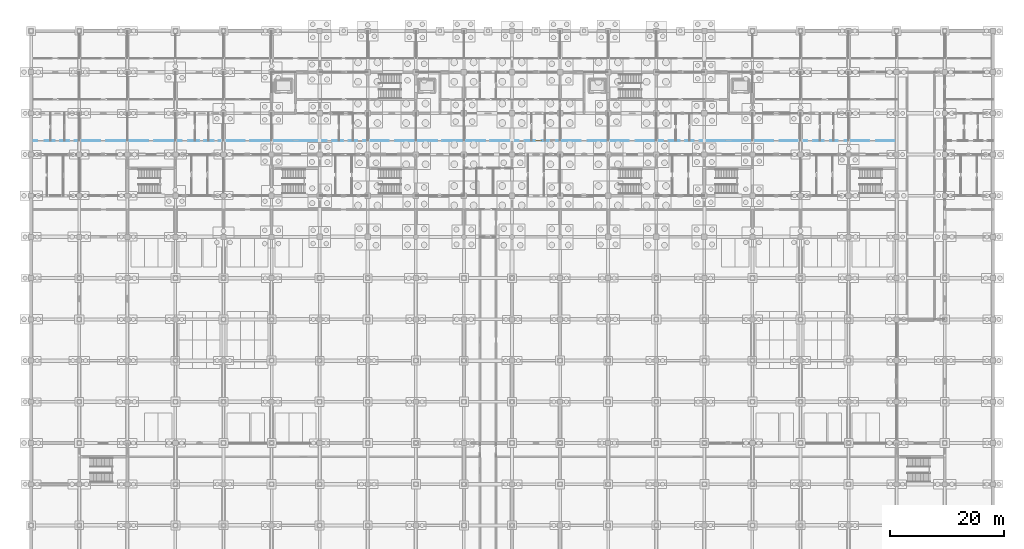
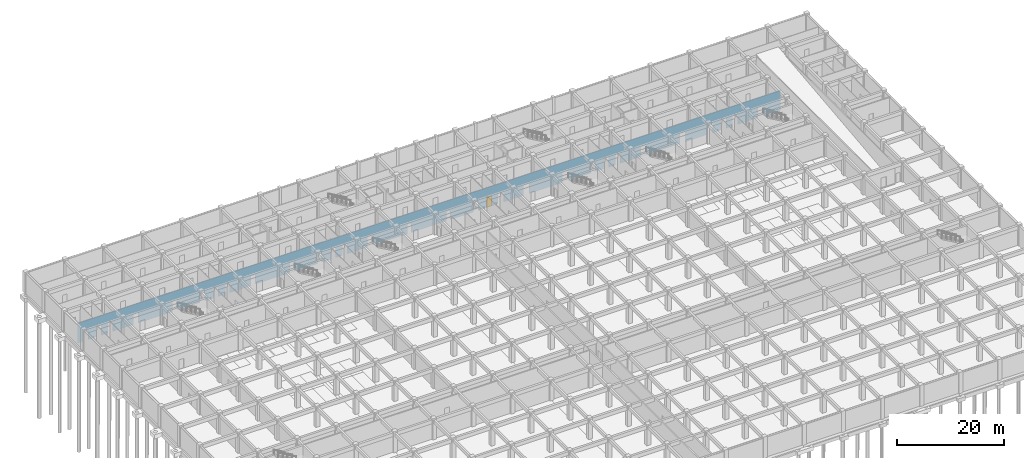
# One storey, part 58 of 85: 1 door, 30 openings, plus 1 element that does not belong to this part.
"""IFC4 building model written with IfcOpenShell, lengths in metres."""

from ifc_helpers import new_model, si_unit, direction, frame, frame_2d, origin, place, context, subcontext, project, spatial, rectangle, extrude, material, layer, layer_set, type_object, element, fill, save


model = new_model("IFC4")

# Units and contexts
model_context = context("Model", 3, precision=1e-05, world=origin(), true_north=direction((0.0, 1.0)))
body_context = subcontext(model_context, "Body", "Model", "MODEL_VIEW")
ifc_project = project(units=[si_unit("LENGTHUNIT", "METRE"), si_unit("AREAUNIT", "SQUARE_METRE"), si_unit("VOLUMEUNIT", "CUBIC_METRE"), si_unit("PLANEANGLEUNIT", "RADIAN"), si_unit("MASSUNIT", "GRAM", prefix="KILO")], contexts=[model_context])

# Site, building, storey
site_placement = place(None, origin())
site = spatial("IfcSite", under=ifc_project, at=site_placement, CompositionType="ELEMENT")
building_placement = place(site_placement, origin())
building = spatial("IfcBuilding", under=site, at=building_placement, Name="Chengyuan Square Courthouse", CompositionType="ELEMENT")
storey_placement = place(building_placement, frame((0.0, 0.0, -10.199951171875)))
storey = spatial("IfcBuildingStorey", under=building, at=storey_placement, Name="B02", CompositionType="ELEMENT", Elevation=-10.199951171875)

# Wall, openings, door
ifc_material_1 = material(Name="Gypsum Plasterboard Acoustic Stud Partition")
ifc_layer = layer(ifc_material_1, 0.10009765625)
ifc_layer_set = layer_set([ifc_layer], Name="Gypsum Plasterboard Acoustic Stud Partition")
wall_type = type_object("IfcWallType", Name="WL-PT6", PredefinedType="STANDARD", material=ifc_layer_set)
wall_placement = place(storey_placement, frame((0.0400390625, 96.0, 0.0), z_axis=(0.0, 0.0, 1.0), x_axis=(1.0, 0.0, 0.0)))
wall = element("IfcWall", 1, at=wall_placement, inside=storey, type_object=wall_type, Name="Interior Wall WL-B02-I062", PredefinedType="STANDARD", context=body_context, shape_type="SweptSolid", body=[
    extrude(rectangle(XDim=151.159912109375, YDim=0.10009765625, at=frame_2d((75.580078125, 0.0))), origin(), (0.0, 0.0, 1.0), 4.47998046875),
])
opening_1_placement = place(wall_placement, frame((1.0400390625, 0.0, 0.0)))
element("IfcOpeningElement", 2, at=opening_1_placement, cuts=wall, Name="Opening DR-148", PredefinedType="OPENING", context=body_context, shape_type="SweptSolid", body=[
    extrude(rectangle(XDim=1.280029296875, YDim=2.35009765625, at=frame_2d((0.64013671875, 1.175048828125))), frame((0.0, 0.06201171875, 0.0), z_axis=(0.0, -1.0, 0.0), x_axis=(1.0, 0.0, 0.0)), (0.0, 0.0, 1.0), 0.1240234375),
])
opening_2_placement = place(wall_placement, frame((4.090087890625, 0.0, 0.0)))
element("IfcOpeningElement", 3, at=opening_2_placement, cuts=wall, Name="Opening DR-149", PredefinedType="OPENING", context=body_context, shape_type="SweptSolid", body=[
    extrude(rectangle(XDim=0.93994140625, YDim=2.300048828125, at=frame_2d((0.469970703125, 1.14990234375))), frame((0.0, 0.06201171875, 0.0), z_axis=(0.0, -1.0, 0.0), x_axis=(1.0, 0.0, 0.0)), (0.0, 0.0, 1.0), 0.1240234375),
])
opening_3_placement = place(wall_placement, frame((6.570068359375, 0.0, 0.0)))
element("IfcOpeningElement", 4, at=opening_3_placement, cuts=wall, Name="Opening DR-150", PredefinedType="OPENING", context=body_context, shape_type="SweptSolid", body=[
    extrude(rectangle(XDim=0.97998046875, YDim=2.35009765625, at=frame_2d((0.489990234375, 1.175048828125))), frame((0.0, 0.06201171875, 0.0), z_axis=(0.0, -1.0, 0.0), x_axis=(1.0, 0.0, 0.0)), (0.0, 0.0, 1.0), 0.1240234375),
])
opening_4_placement = place(wall_placement, frame((12.050048828125, 0.0, 0.0)))
element("IfcOpeningElement", 5, at=opening_4_placement, cuts=wall, Name="Opening DR-151", PredefinedType="OPENING", context=body_context, shape_type="SweptSolid", body=[
    extrude(rectangle(XDim=1.02001953125, YDim=2.39990234375, at=frame_2d((0.510009765625, 1.199951171875))), frame((0.0, 0.06201171875, 0.0), z_axis=(0.0, -1.0, 0.0), x_axis=(1.0, 0.0, 0.0)), (0.0, 0.0, 1.0), 0.1240234375),
])
opening_5_placement = place(wall_placement, frame((20.429931640625, 0.0, 0.0)))
element("IfcOpeningElement", 6, at=opening_5_placement, cuts=wall, Name="Opening DR-152", PredefinedType="OPENING", context=body_context, shape_type="SweptSolid", body=[
    extrude(rectangle(XDim=1.06005859375, YDim=2.39990234375, at=frame_2d((0.530029296875, 1.199951171875))), frame((0.0, 0.06201171875, 0.0), z_axis=(0.0, -1.0, 0.0), x_axis=(1.0, 0.0, 0.0)), (0.0, 0.0, 1.0), 0.1240234375),
])
opening_6_placement = place(wall_placement, frame((26.2900390625, 0.0, 0.0)))
element("IfcOpeningElement", 7, at=opening_6_placement, cuts=wall, Name="Opening DR-153", PredefinedType="OPENING", context=body_context, shape_type="SweptSolid", body=[
    extrude(rectangle(XDim=1.139892578125, YDim=2.39990234375, at=frame_2d((0.56982421875, 1.199951171875))), frame((0.0, 0.06201171875, 0.0), z_axis=(0.0, -1.0, 0.0), x_axis=(1.0, 0.0, 0.0)), (0.0, 0.0, 1.0), 0.1240234375),
])
opening_7_placement = place(wall_placement, frame((29.31005859375, 0.0, 0.0)))
element("IfcOpeningElement", 8, at=opening_7_placement, cuts=wall, Name="Opening DR-154", PredefinedType="OPENING", context=body_context, shape_type="SweptSolid", body=[
    extrude(rectangle(XDim=0.89990234375, YDim=2.14990234375, at=frame_2d((0.449951171875, 1.074951171875))), frame((0.0, 0.06201171875, 0.0), z_axis=(0.0, -1.0, 0.0), x_axis=(1.0, 0.0, 0.0)), (0.0, 0.0, 1.0), 0.1240234375),
])
opening_8_placement = place(wall_placement, frame((31.830078125, 0.0, 0.0)))
element("IfcOpeningElement", 9, at=opening_8_placement, cuts=wall, Name="Opening DR-155", PredefinedType="OPENING", context=body_context, shape_type="SweptSolid", body=[
    extrude(rectangle(XDim=0.860107421875, YDim=2.10009765625, at=frame_2d((0.43017578125, 1.050048828125))), frame((0.0, 0.06201171875, 0.0), z_axis=(0.0, -1.0, 0.0), x_axis=(1.0, 0.0, 0.0)), (0.0, 0.0, 1.0), 0.1240234375),
])
opening_9_placement = place(wall_placement, frame((37.300048828125, 0.0, 0.0)))
element("IfcOpeningElement", 10, at=opening_9_placement, cuts=wall, Name="Opening DR-156", PredefinedType="OPENING", context=body_context, shape_type="SweptSolid", body=[
    extrude(rectangle(XDim=0.919921875, YDim=2.14990234375, at=frame_2d((0.4599609375, 1.074951171875))), frame((0.0, 0.06201171875, 0.0), z_axis=(0.0, -1.0, 0.0), x_axis=(1.0, 0.0, 0.0)), (0.0, 0.0, 1.0), 0.1240234375),
])
opening_10_placement = place(wall_placement, frame((45.679931640625, 0.0, 0.0)))
element("IfcOpeningElement", 11, at=opening_10_placement, cuts=wall, Name="Opening DR-157", PredefinedType="OPENING", context=body_context, shape_type="SweptSolid", body=[
    extrude(rectangle(XDim=0.9599609375, YDim=2.199951171875, at=frame_2d((0.47998046875, 1.10009765625))), frame((0.0, 0.06201171875, 0.0), z_axis=(0.0, -1.0, 0.0), x_axis=(1.0, 0.0, 0.0)), (0.0, 0.0, 1.0), 0.1240234375),
])
opening_11_placement = place(wall_placement, frame((51.570068359375, 0.0, 0.0)))
element("IfcOpeningElement", 12, at=opening_11_placement, cuts=wall, Name="Opening DR-167", PredefinedType="OPENING", context=body_context, shape_type="SweptSolid", body=[
    extrude(rectangle(XDim=0.97998046875, YDim=2.35009765625, at=frame_2d((0.489990234375, 1.175048828125))), frame((0.0, 0.06201171875, 0.0), z_axis=(0.0, -1.0, 0.0), x_axis=(1.0, 0.0, 0.0)), (0.0, 0.0, 1.0), 0.1240234375),
])
opening_12_placement = place(wall_placement, frame((54.449951171875, 0.0, 0.0)))
element("IfcOpeningElement", 13, at=opening_12_placement, cuts=wall, Name="Opening DR-168", PredefinedType="OPENING", context=body_context, shape_type="SweptSolid", body=[
    extrude(rectangle(XDim=1.02001953125, YDim=2.39990234375, at=frame_2d((0.510009765625, 1.199951171875))), frame((0.0, 0.06201171875, 0.0), z_axis=(0.0, -1.0, 0.0), x_axis=(1.0, 0.0, 0.0)), (0.0, 0.0, 1.0), 0.1240234375),
])
opening_13_placement = place(wall_placement, frame((56.929931640625, 0.0, 0.0)))
element("IfcOpeningElement", 14, at=opening_13_placement, cuts=wall, Name="Opening DR-169", PredefinedType="OPENING", context=body_context, shape_type="SweptSolid", body=[
    extrude(rectangle(XDim=1.06005859375, YDim=2.39990234375, at=frame_2d((0.530029296875, 1.199951171875))), frame((0.0, 0.06201171875, 0.0), z_axis=(0.0, -1.0, 0.0), x_axis=(1.0, 0.0, 0.0)), (0.0, 0.0, 1.0), 0.1240234375),
])
opening_14_placement = place(wall_placement, frame((62.389892578125, 0.0, 0.0)))
element("IfcOpeningElement", 15, at=opening_14_placement, cuts=wall, Name="Opening DR-170", PredefinedType="OPENING", context=body_context, shape_type="SweptSolid", body=[
    extrude(rectangle(XDim=1.139892578125, YDim=2.39990234375, at=frame_2d((0.56982421875, 1.199951171875))), frame((0.0, 0.06201171875, 0.0), z_axis=(0.0, -1.0, 0.0), x_axis=(1.0, 0.0, 0.0)), (0.0, 0.0, 1.0), 0.1240234375),
])
opening_15_placement = place(wall_placement, frame((70.909912109375, 0.0, 0.0)))
element("IfcOpeningElement", 16, at=opening_15_placement, cuts=wall, Name="Opening DR-171", PredefinedType="OPENING", context=body_context, shape_type="SweptSolid", body=[
    extrude(rectangle(XDim=0.89990234375, YDim=2.14990234375, at=frame_2d((0.449951171875, 1.074951171875))), frame((0.0, 0.06201171875, 0.0), z_axis=(0.0, -1.0, 0.0), x_axis=(1.0, 0.0, 0.0)), (0.0, 0.0, 1.0), 0.1240234375),
])
opening_16_placement = place(wall_placement, frame((79.330078125, 0.0, 0.0)))
element("IfcOpeningElement", 17, at=opening_16_placement, cuts=wall, Name="Opening DR-172", PredefinedType="OPENING", context=body_context, shape_type="SweptSolid", body=[
    extrude(rectangle(XDim=0.860107421875, YDim=2.10009765625, at=frame_2d((0.43017578125, 1.050048828125))), frame((0.0, 0.06201171875, 0.0), z_axis=(0.0, -1.0, 0.0), x_axis=(1.0, 0.0, 0.0)), (0.0, 0.0, 1.0), 0.1240234375),
])
opening_17_placement = place(wall_placement, frame((85.10009765625, 0.0, 0.0)))
element("IfcOpeningElement", 18, at=opening_17_placement, cuts=wall, Name="Opening DR-178", PredefinedType="OPENING", context=body_context, shape_type="SweptSolid", body=[
    extrude(rectangle(XDim=1.1201171875, YDim=2.25, at=frame_2d((0.56005859375, 1.125))), frame((0.0, 0.06201171875, 0.0), z_axis=(0.0, -1.0, 0.0), x_axis=(1.0, 0.0, 0.0)), (0.0, 0.0, 1.0), 0.1240234375),
])
opening_18_placement = place(wall_placement, frame((87.97998046875, 0.0, 0.0)))
opening_18 = element("IfcOpeningElement", 19, at=opening_18_placement, cuts=wall, Name="Opening DR-179", PredefinedType="OPENING", context=body_context, shape_type="SweptSolid", body=[
    extrude(rectangle(XDim=1.159912109375, YDim=2.300048828125, at=frame_2d((0.580078125, 1.14990234375))), frame((0.0, 0.06201171875, 0.0), z_axis=(0.0, -1.0, 0.0), x_axis=(1.0, 0.0, 0.0)), (0.0, 0.0, 1.0), 0.1240234375),
])
opening_19_placement = place(wall_placement, frame((90.4599609375, 0.0, 0.0)))
element("IfcOpeningElement", 20, at=opening_19_placement, cuts=wall, Name="Opening DR-180", PredefinedType="OPENING", context=body_context, shape_type="SweptSolid", body=[
    extrude(rectangle(XDim=1.199951171875, YDim=2.35009765625, at=frame_2d((0.60009765625, 1.175048828125))), frame((0.0, 0.06201171875, 0.0), z_axis=(0.0, -1.0, 0.0), x_axis=(1.0, 0.0, 0.0)), (0.0, 0.0, 1.0), 0.1240234375),
])
opening_20_placement = place(wall_placement, frame((95.93994140625, 0.0, 0.0)))
element("IfcOpeningElement", 21, at=opening_20_placement, cuts=wall, Name="Opening DR-181", PredefinedType="OPENING", context=body_context, shape_type="SweptSolid", body=[
    extrude(rectangle(XDim=1.239990234375, YDim=2.300048828125, at=frame_2d((0.6201171875, 1.14990234375))), frame((0.0, 0.06201171875, 0.0), z_axis=(0.0, -1.0, 0.0), x_axis=(1.0, 0.0, 0.0)), (0.0, 0.0, 1.0), 0.1240234375),
])
opening_21_placement = place(wall_placement, frame((104.320068359375, 0.0, 0.0)))
element("IfcOpeningElement", 22, at=opening_21_placement, cuts=wall, Name="Opening DR-182", PredefinedType="OPENING", context=body_context, shape_type="SweptSolid", body=[
    extrude(rectangle(XDim=1.280029296875, YDim=2.35009765625, at=frame_2d((0.64013671875, 1.175048828125))), frame((0.0, 0.06201171875, 0.0), z_axis=(0.0, -1.0, 0.0), x_axis=(1.0, 0.0, 0.0)), (0.0, 0.0, 1.0), 0.1240234375),
])
opening_22_placement = place(wall_placement, frame((110.389892578125, 0.0, 0.0)))
element("IfcOpeningElement", 23, at=opening_22_placement, cuts=wall, Name="Opening DR-183", PredefinedType="OPENING", context=body_context, shape_type="SweptSolid", body=[
    extrude(rectangle(XDim=0.93994140625, YDim=2.300048828125, at=frame_2d((0.469970703125, 1.14990234375))), frame((0.0, 0.06201171875, 0.0), z_axis=(0.0, -1.0, 0.0), x_axis=(1.0, 0.0, 0.0)), (0.0, 0.0, 1.0), 0.1240234375),
])
opening_23_placement = place(wall_placement, frame((113.27001953125, 0.0, 0.0)))
element("IfcOpeningElement", 24, at=opening_23_placement, cuts=wall, Name="Opening DR-184", PredefinedType="OPENING", context=body_context, shape_type="SweptSolid", body=[
    extrude(rectangle(XDim=0.97998046875, YDim=2.35009765625, at=frame_2d((0.489990234375, 1.175048828125))), frame((0.0, 0.06201171875, 0.0), z_axis=(0.0, -1.0, 0.0), x_axis=(1.0, 0.0, 0.0)), (0.0, 0.0, 1.0), 0.1240234375),
])
opening_24_placement = place(wall_placement, frame((115.75, 0.0, 0.0)))
element("IfcOpeningElement", 25, at=opening_24_placement, cuts=wall, Name="Opening DR-185", PredefinedType="OPENING", context=body_context, shape_type="SweptSolid", body=[
    extrude(rectangle(XDim=1.02001953125, YDim=2.39990234375, at=frame_2d((0.510009765625, 1.199951171875))), frame((0.0, 0.06201171875, 0.0), z_axis=(0.0, -1.0, 0.0), x_axis=(1.0, 0.0, 0.0)), (0.0, 0.0, 1.0), 0.1240234375),
])
opening_25_placement = place(wall_placement, frame((121.239990234375, 0.0, 0.0)))
element("IfcOpeningElement", 26, at=opening_25_placement, cuts=wall, Name="Opening DR-193", PredefinedType="OPENING", context=body_context, shape_type="SweptSolid", body=[
    extrude(rectangle(XDim=1.0400390625, YDim=2.199951171875, at=frame_2d((0.52001953125, 1.10009765625))), frame((0.0, 0.06201171875, 0.0), z_axis=(0.0, -1.0, 0.0), x_axis=(1.0, 0.0, 0.0)), (0.0, 0.0, 1.0), 0.1240234375),
])
opening_26_placement = place(wall_placement, frame((129.6201171875, 0.0, 0.0)))
element("IfcOpeningElement", 27, at=opening_26_placement, cuts=wall, Name="Opening DR-194", PredefinedType="OPENING", context=body_context, shape_type="SweptSolid", body=[
    extrude(rectangle(XDim=1.080078125, YDim=2.25, at=frame_2d((0.5400390625, 1.125))), frame((0.0, 0.06201171875, 0.0), z_axis=(0.0, -1.0, 0.0), x_axis=(1.0, 0.0, 0.0)), (0.0, 0.0, 1.0), 0.1240234375),
])
opening_27_placement = place(wall_placement, frame((135.5, 0.0, 0.0)))
element("IfcOpeningElement", 28, at=opening_27_placement, cuts=wall, Name="Opening DR-195", PredefinedType="OPENING", context=body_context, shape_type="SweptSolid", body=[
    extrude(rectangle(XDim=1.1201171875, YDim=2.25, at=frame_2d((0.56005859375, 1.125))), frame((0.0, 0.06201171875, 0.0), z_axis=(0.0, -1.0, 0.0), x_axis=(1.0, 0.0, 0.0)), (0.0, 0.0, 1.0), 0.1240234375),
])
opening_28_placement = place(wall_placement, frame((138.3798828125, 0.0, 0.0)))
element("IfcOpeningElement", 29, at=opening_28_placement, cuts=wall, Name="Opening DR-196", PredefinedType="OPENING", context=body_context, shape_type="SweptSolid", body=[
    extrude(rectangle(XDim=1.159912109375, YDim=2.300048828125, at=frame_2d((0.580078125, 1.14990234375))), frame((0.0, 0.06201171875, 0.0), z_axis=(0.0, -1.0, 0.0), x_axis=(1.0, 0.0, 0.0)), (0.0, 0.0, 1.0), 0.1240234375),
])
opening_29_placement = place(wall_placement, frame((140.860107421875, 0.0, 0.0)))
element("IfcOpeningElement", 30, at=opening_29_placement, cuts=wall, Name="Opening DR-197", PredefinedType="OPENING", context=body_context, shape_type="SweptSolid", body=[
    extrude(rectangle(XDim=1.199951171875, YDim=2.35009765625, at=frame_2d((0.60009765625, 1.175048828125))), frame((0.0, 0.06201171875, 0.0), z_axis=(0.0, -1.0, 0.0), x_axis=(1.0, 0.0, 0.0)), (0.0, 0.0, 1.0), 0.1240234375),
])
opening_30_placement = place(wall_placement, frame((146.340087890625, 0.0, 0.0)))
element("IfcOpeningElement", 31, at=opening_30_placement, cuts=wall, Name="Opening DR-198", PredefinedType="OPENING", context=body_context, shape_type="SweptSolid", body=[
    extrude(rectangle(XDim=1.239990234375, YDim=2.300048828125, at=frame_2d((0.6201171875, 1.14990234375))), frame((0.0, 0.06201171875, 0.0), z_axis=(0.0, -1.0, 0.0), x_axis=(1.0, 0.0, 0.0)), (0.0, 0.0, 1.0), 0.1240234375),
])
ifc_material_2 = material(Name="Acoustic Solid-Core Timber Door", Category="wood")
door_type = type_object("IfcDoorType", Name="DT-35", OperationType="NOTDEFINED", PredefinedType="DOOR", material=ifc_material_2)
door_placement = place(opening_18_placement, origin())
door = element("IfcDoor", 32, at=door_placement, inside=storey, type_object=door_type, Name="Interior Door DR-179", OperationType="SINGLE_SWING_RIGHT", OverallHeight=2.300048828125, OverallWidth=1.159912109375, PredefinedType="DOOR", context=body_context, shape_type="SweptSolid", body=[
    extrude(rectangle(XDim=1.159912109375, YDim=2.300048828125, at=frame_2d((0.580078125, 1.14990234375))), frame((0.0, 0.02490234375, 0.0), z_axis=(0.0, -1.0, 0.0), x_axis=(1.0, 0.0, 0.0)), (0.0, 0.0, 1.0), 0.050048828125),
])
fill(opening_18, door)

save(model, "model.ifc")
